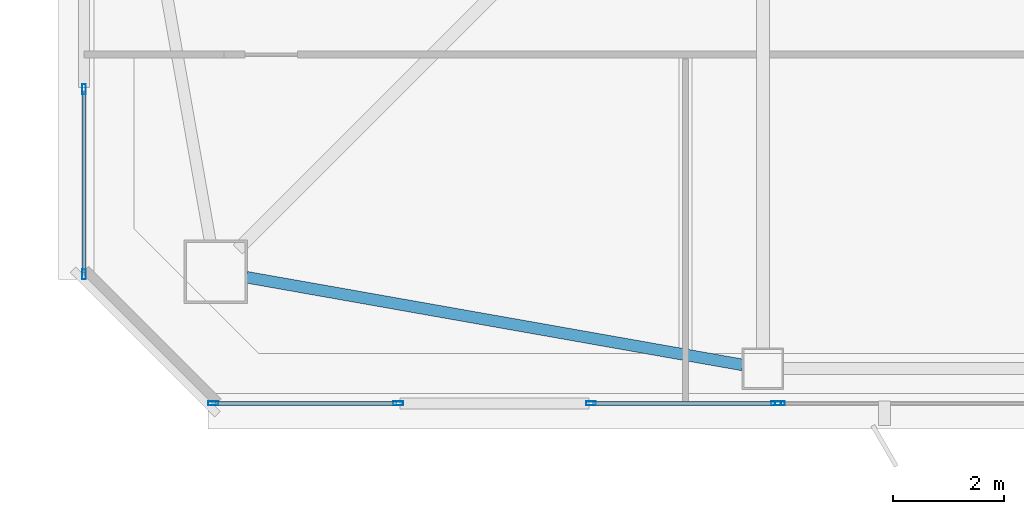
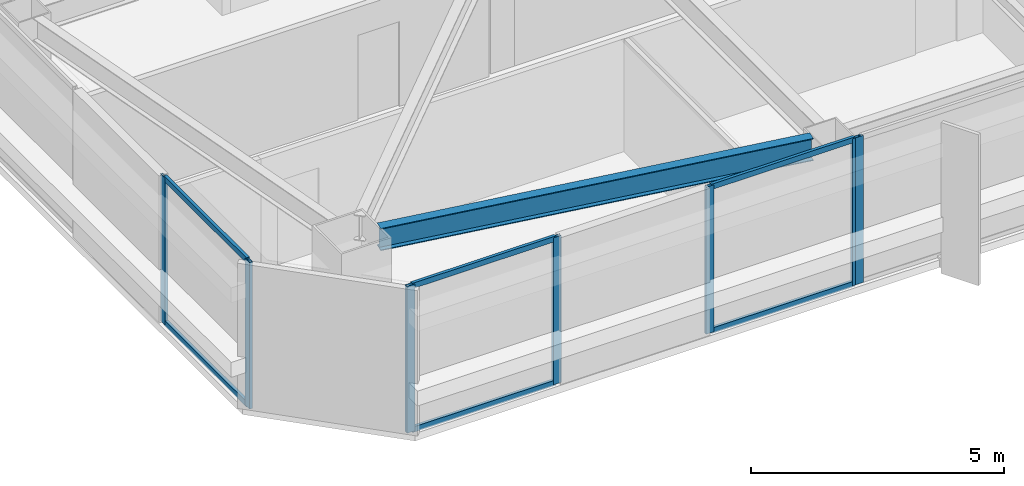
# One storey, part 3 of 46: 13 members, 1 beam, 4 elements without a shape of their own.
"""IFC4 building model written with IfcOpenShell, lengths in metres."""

from ifc_helpers import new_model, si_unit, direction, frame, origin, origin_2d, place, context, subcontext, project, spatial, hollow_rectangle, i_section, extrude, material, material_profile, profile_set, type_object, element, aggregate, save


model = new_model("IFC4")

# Units and contexts
model_context = context("Model", 3, precision=1e-05, world=origin(), true_north=direction((0.0, 1.0)))
body_context = subcontext(model_context, "Body", "Model", "MODEL_VIEW")
ifc_project = project(units=[si_unit("LENGTHUNIT", "METRE"), si_unit("AREAUNIT", "SQUARE_METRE"), si_unit("VOLUMEUNIT", "CUBIC_METRE"), si_unit("PLANEANGLEUNIT", "RADIAN"), si_unit("MASSUNIT", "GRAM", prefix="KILO")], contexts=[model_context])

# Site, building, storey
site_placement = place(None, origin())
site = spatial("IfcSite", under=ifc_project, at=site_placement, CompositionType="ELEMENT")
building_placement = place(site_placement, origin())
building = spatial("IfcBuilding", under=site, at=building_placement, Name="Tashvorn Skyway Center", CompositionType="ELEMENT")
storey_placement = place(building_placement, frame((0.0, 0.0, 167.64990234375)))
storey = spatial("IfcBuildingStorey", under=building, at=storey_placement, Name="L45", CompositionType="ELEMENT", Elevation=167.64990234375)

# Beam
ifc_material_1 = material(Name="Steel ASTM A992 Grade 50", Category="steel")
ifc_material_profile_1 = material_profile(ifc_material_1, i_section(OverallWidth=0.2109375, OverallDepth=0.5390625, WebThickness=0.01171875, FlangeThickness=0.018798828125, at=origin_2d()), Name="W21X73")
ifc_profile_set_1 = profile_set([ifc_material_profile_1], Name="Steel ASTM A992 Grade 50")
beam_type = type_object("IfcBeamType", Name="BM-SPANDREL-W21X73", PredefinedType="SPANDREL", material=ifc_profile_set_1)
beam_placement = place(storey_placement, frame((27.26123046875, 16.600830078125, 3.1005859375), z_axis=(0.984732545667, -0.174074160933, 0.0), x_axis=(0.174074160933, 0.984732545667, 0.0)))
element("IfcBeam", 1, at=beam_placement, inside=storey, type_object=beam_type, Name="Tower 1 L45 Spandrel Beam 01", PredefinedType="SPANDREL", context=body_context, shape_type="SweptSolid", body=[
    extrude(i_section(OverallWidth=0.2109375, OverallDepth=0.5390625, WebThickness=0.01171875, FlangeThickness=0.018798828125, at=origin_2d()), origin(), (0.0, 0.0, 1.0), 9.113525390625),
])

# Curtain wall, member
ifc_material_2 = material(Name="Thermally broken bronze-anodized aluminium 6063-T6", Category="aluminium")
curtain_wall_type = type_object("IfcCurtainWallType", Name="CW-CW-Z4", PredefinedType="NOTDEFINED", material=ifc_material_2)
curtain_wall_1_placement = place(storey_placement, origin())
curtain_wall_1 = element("IfcCurtainWall", 2, at=curtain_wall_1_placement, inside=storey, type_object=curtain_wall_type, Name="Tower 1 L45 South Unitised Curtain Wall Glazing Group 3", PredefinedType="NOTDEFINED")
ifc_material_profile_2 = material_profile(ifc_material_2, hollow_rectangle(XDim=0.070068359375, YDim=0.179931640625, WallThickness=0.00390625, at=origin_2d()), Name="ALU-MULL-70x180")
ifc_profile_set_2 = profile_set([ifc_material_profile_2], Name="Thermally broken bronze-anodized aluminium 6063-T6")
member_type_1 = type_object("IfcMemberType", Name="CWM-CW-Z4", PredefinedType="MULLION", material=ifc_profile_set_2)
member_1_placement = place(storey_placement, frame((36.908203125, 14.320068359375, 0.0), z_axis=(0.0, 0.0, 1.0), x_axis=(0.0, -1.0, 0.0)))
member_1 = element("IfcMember", 3, at=member_1_placement, type_object=member_type_1, Name="CW-Z4 mullion 2", PredefinedType="MULLION", context=body_context, shape_type="SweptSolid", body=[
    extrude(hollow_rectangle(XDim=0.070068359375, YDim=0.179931640625, WallThickness=0.00390625, at=origin_2d()), origin(), (0.0, 0.0, 1.0), 3.550048828125),
])
aggregate(curtain_wall_1, [member_1])

# Curtain wall, members
curtain_wall_2_placement = place(storey_placement, origin())
curtain_wall_2 = element("IfcCurtainWall", 4, at=curtain_wall_2_placement, inside=storey, type_object=curtain_wall_type, Name="Tower 1 L45 South Unitised Curtain Wall Glazing Group 4", PredefinedType="NOTDEFINED")
member_2_placement = place(storey_placement, frame((36.83837890625, 14.320068359375, 0.0), z_axis=(0.0, 0.0, 1.0), x_axis=(0.0, -1.0, 0.0)))
member_2 = element("IfcMember", 5, at=member_2_placement, type_object=member_type_1, Name="CW-Z4 mullion 1", PredefinedType="MULLION", context=body_context, shape_type="SweptSolid", body=[
    extrude(hollow_rectangle(XDim=0.070068359375, YDim=0.179931640625, WallThickness=0.00390625, at=origin_2d()), origin(), (0.0, 0.0, 1.0), 3.550048828125),
])
member_3_placement = place(storey_placement, frame((33.490478515625, 14.320068359375, 0.0), z_axis=(0.0, 0.0, 1.0), x_axis=(0.0, -1.0, 0.0)))
member_3 = element("IfcMember", 6, at=member_3_placement, type_object=member_type_1, Name="CW-Z4 mullion 2", PredefinedType="MULLION", context=body_context, shape_type="SweptSolid", body=[
    extrude(hollow_rectangle(XDim=0.070068359375, YDim=0.179931640625, WallThickness=0.00390625, at=origin_2d()), origin(), (0.0, 0.0, 1.0), 3.550048828125),
])

curtain_wall_3_placement = place(storey_placement, origin())
curtain_wall_3 = element("IfcCurtainWall", 7, at=curtain_wall_3_placement, inside=storey, type_object=curtain_wall_type, Name="Tower 1 L45 South Unitised Curtain Wall Glazing Group 5", PredefinedType="NOTDEFINED")
member_4_placement = place(storey_placement, frame((30.002685546875, 14.320068359375, 0.0), z_axis=(0.0, 0.0, 1.0), x_axis=(0.0, -1.0, 0.0)))
member_4 = element("IfcMember", 8, at=member_4_placement, type_object=member_type_1, Name="CW-Z4 mullion 1", PredefinedType="MULLION", context=body_context, shape_type="SweptSolid", body=[
    extrude(hollow_rectangle(XDim=0.070068359375, YDim=0.179931640625, WallThickness=0.00390625, at=origin_2d()), origin(), (0.0, 0.0, 1.0), 3.550048828125),
])
member_5_placement = place(storey_placement, frame((26.655029296875, 14.320068359375, 0.0), z_axis=(0.0, 0.0, 1.0), x_axis=(0.0, -1.0, 0.0)))
member_5 = element("IfcMember", 9, at=member_5_placement, type_object=member_type_1, Name="CW-Z4 mullion 2", PredefinedType="MULLION", context=body_context, shape_type="SweptSolid", body=[
    extrude(hollow_rectangle(XDim=0.070068359375, YDim=0.179931640625, WallThickness=0.00390625, at=origin_2d()), origin(), (0.0, 0.0, 1.0), 3.550048828125),
])

curtain_wall_4_placement = place(storey_placement, origin())
curtain_wall_4 = element("IfcCurtainWall", 10, at=curtain_wall_4_placement, inside=storey, type_object=curtain_wall_type, Name="Tower 1 L45 West Unitised Curtain Wall Glazing Group 1", PredefinedType="NOTDEFINED")
member_6_placement = place(storey_placement, frame((24.320068359375, 16.655029296875, 0.0), z_axis=(0.0, 0.0, 1.0), x_axis=(-1.0, 0.0, 0.0)))
member_6 = element("IfcMember", 11, at=member_6_placement, type_object=member_type_1, Name="CW-Z4 mullion 1", PredefinedType="MULLION", context=body_context, shape_type="SweptSolid", body=[
    extrude(hollow_rectangle(XDim=0.070068359375, YDim=0.179931640625, WallThickness=0.00390625, at=origin_2d()), origin(), (0.0, 0.0, 1.0), 3.550048828125),
])
member_7_placement = place(storey_placement, frame((24.320068359375, 20.002685546875, 0.0), z_axis=(0.0, 0.0, 1.0), x_axis=(-1.0, 0.0, 0.0)))
member_7 = element("IfcMember", 12, at=member_7_placement, type_object=member_type_1, Name="CW-Z4 mullion 2", PredefinedType="MULLION", context=body_context, shape_type="SweptSolid", body=[
    extrude(hollow_rectangle(XDim=0.070068359375, YDim=0.179931640625, WallThickness=0.00390625, at=origin_2d()), origin(), (0.0, 0.0, 1.0), 3.550048828125),
])

# Member
ifc_material_profile_3 = material_profile(ifc_material_2, hollow_rectangle(XDim=0.070068359375, YDim=0.1298828125, WallThickness=0.00390625, at=origin_2d()), Name="ALU-TRAN-70x130")
ifc_profile_set_3 = profile_set([ifc_material_profile_3], Name="Thermally broken bronze-anodized aluminium 6063-T6")
member_type_2 = type_object("IfcMemberType", Name="CWT-CW-Z4", PredefinedType="USERDEFINED", material=ifc_profile_set_3)
member_8_placement = place(storey_placement, frame((36.80322265625, 14.320068359375, 0.03515625), z_axis=(-1.0, 0.0, 0.0), x_axis=(0.0, -1.0, 0.0)))
member_8 = element("IfcMember", 13, at=member_8_placement, type_object=member_type_2, Name="CW-Z4 transom 1.1", ObjectType="TRANSOM", PredefinedType="USERDEFINED", context=body_context, shape_type="SweptSolid", body=[
    extrude(hollow_rectangle(XDim=0.070068359375, YDim=0.1298828125, WallThickness=0.00390625, at=origin_2d()), origin(), (0.0, 0.0, 1.0), 3.277587890625),
])

member_9_placement = place(storey_placement, frame((36.80322265625, 14.320068359375, 3.51513671875), z_axis=(-1.0, 0.0, 0.0), x_axis=(0.0, -1.0, 0.0)))
member_9 = element("IfcMember", 14, at=member_9_placement, type_object=member_type_2, Name="CW-Z4 transom 1.2", ObjectType="TRANSOM", PredefinedType="USERDEFINED", context=body_context, shape_type="SweptSolid", body=[
    extrude(hollow_rectangle(XDim=0.070068359375, YDim=0.1298828125, WallThickness=0.00390625, at=origin_2d()), origin(), (0.0, 0.0, 1.0), 3.277587890625),
])

aggregate(curtain_wall_2, [member_2, member_3, member_8, member_9])

member_10_placement = place(storey_placement, frame((29.9677734375, 14.320068359375, 0.03515625), z_axis=(-1.0, 0.0, 0.0), x_axis=(0.0, -1.0, 0.0)))
member_10 = element("IfcMember", 15, at=member_10_placement, type_object=member_type_2, Name="CW-Z4 transom 1.1", ObjectType="TRANSOM", PredefinedType="USERDEFINED", context=body_context, shape_type="SweptSolid", body=[
    extrude(hollow_rectangle(XDim=0.070068359375, YDim=0.1298828125, WallThickness=0.00390625, at=origin_2d()), origin(), (0.0, 0.0, 1.0), 3.27783203125),
])

member_11_placement = place(storey_placement, frame((29.9677734375, 14.320068359375, 3.51513671875), z_axis=(-1.0, 0.0, 0.0), x_axis=(0.0, -1.0, 0.0)))
member_11 = element("IfcMember", 16, at=member_11_placement, type_object=member_type_2, Name="CW-Z4 transom 1.2", ObjectType="TRANSOM", PredefinedType="USERDEFINED", context=body_context, shape_type="SweptSolid", body=[
    extrude(hollow_rectangle(XDim=0.070068359375, YDim=0.1298828125, WallThickness=0.00390625, at=origin_2d()), origin(), (0.0, 0.0, 1.0), 3.27783203125),
])

aggregate(curtain_wall_3, [member_4, member_5, member_10, member_11])

member_12_placement = place(storey_placement, frame((24.320068359375, 16.68994140625, 0.03515625), z_axis=(0.0, 1.0, 0.0), x_axis=(-1.0, 0.0, 0.0)))
member_12 = element("IfcMember", 17, at=member_12_placement, type_object=member_type_2, Name="CW-Z4 transom 1.1", ObjectType="TRANSOM", PredefinedType="USERDEFINED", context=body_context, shape_type="SweptSolid", body=[
    extrude(hollow_rectangle(XDim=0.070068359375, YDim=0.1298828125, WallThickness=0.00390625, at=origin_2d()), origin(), (0.0, 0.0, 1.0), 3.27783203125),
])

member_13_placement = place(storey_placement, frame((24.320068359375, 16.68994140625, 3.51513671875), z_axis=(0.0, 1.0, 0.0), x_axis=(-1.0, 0.0, 0.0)))
member_13 = element("IfcMember", 18, at=member_13_placement, type_object=member_type_2, Name="CW-Z4 transom 1.2", ObjectType="TRANSOM", PredefinedType="USERDEFINED", context=body_context, shape_type="SweptSolid", body=[
    extrude(hollow_rectangle(XDim=0.070068359375, YDim=0.1298828125, WallThickness=0.00390625, at=origin_2d()), origin(), (0.0, 0.0, 1.0), 3.27783203125),
])

aggregate(curtain_wall_4, [member_6, member_7, member_12, member_13])

save(model, "model.ifc")
